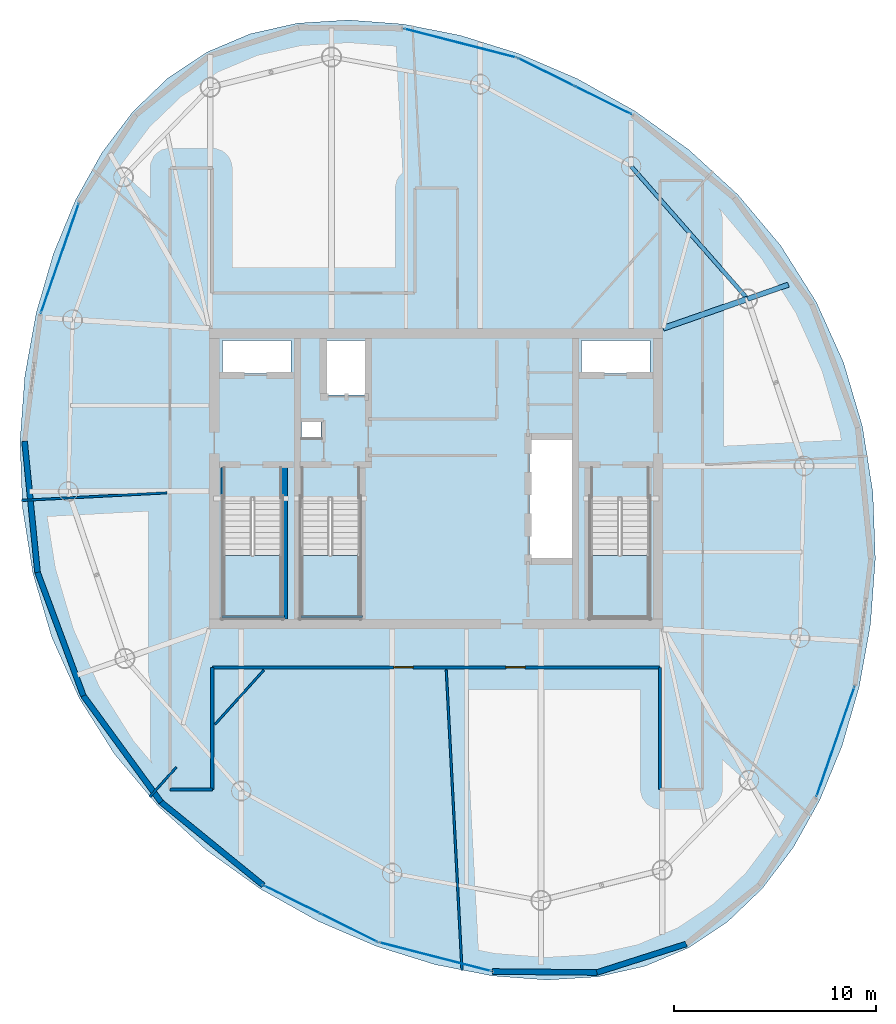
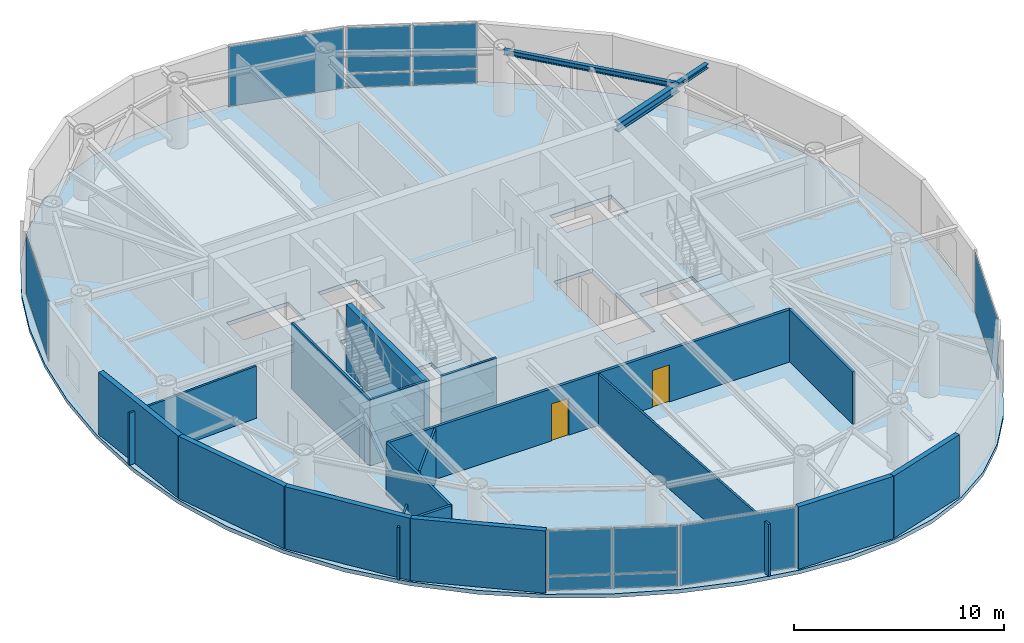
# One storey, part 11 of 17: 18 walls, 12 plates, 4 slabs, 3 beams, 2 doors, 2 openings, 9 elements without a shape of their own.
"""IFC4 building model written with IfcOpenShell, lengths in metres."""

from ifc_helpers import new_model, si_unit, direction, frame, frame_2d, origin, origin_2d, place, context, subcontext, project, spatial, polyline, rectangle, i_section, outline, extrude, material, layer, layer_set, material_profile, profile_set, type_object, element, fill, aggregate, save


model = new_model("IFC4")

# Units and contexts
model_context = context("Model", 3, precision=1e-05, world=origin(), true_north=direction((0.0, 1.0)))
body_context = subcontext(model_context, "Body", "Model", "MODEL_VIEW")
ifc_project = project(units=[si_unit("LENGTHUNIT", "METRE"), si_unit("AREAUNIT", "SQUARE_METRE"), si_unit("VOLUMEUNIT", "CUBIC_METRE"), si_unit("PLANEANGLEUNIT", "RADIAN"), si_unit("MASSUNIT", "GRAM", prefix="KILO")], contexts=[model_context])

# Site, building, storey
site_placement = place(None, origin())
site = spatial("IfcSite", under=ifc_project, at=site_placement, CompositionType="ELEMENT")
building_placement = place(site_placement, origin())
building = spatial("IfcBuilding", under=site, at=building_placement, Name="Bramvorn Convention Spire", CompositionType="ELEMENT")
storey_placement = place(building_placement, frame((0.0, 0.0, 280.550048828125)))
storey = spatial("IfcBuildingStorey", under=building, at=storey_placement, Name="L71", CompositionType="ELEMENT", Elevation=280.550048828125)

# Beams
ifc_material_1 = material(Name="Steel CSA G40.21 Grade 350 (350W)", Category="steel")
ifc_material_profile_1 = material_profile(ifc_material_1, i_section(OverallWidth=0.25390625, OverallDepth=0.2529296875, WebThickness=0.008544921875, FlangeThickness=0.01416015625, FilletRadius=0.011962890625, at=origin_2d()))
ifc_profile_set_1 = profile_set([ifc_material_profile_1], Name="Steel CSA G40.21 Grade 350 (350W) - W250X73")
beam_type_1 = type_object("IfcBeamType", Name="BM-W250X73", PredefinedType="BEAM", material=ifc_profile_set_1)
beam_1_placement = place(storey_placement, frame((53.4326171875, 34.909912109375, 3.49853515625), z_axis=(0.944130054028, 0.329573119476, 0.0), x_axis=(-0.329573119476, 0.944130054028, 0.0)))
element("IfcBeam", 1, at=beam_1_placement, inside=storey, type_object=beam_type_1, Name="L71 slab-edge cantilever tip beam MC05", PredefinedType="BEAM", context=body_context, shape_type="SweptSolid", body=[
    extrude(i_section(OverallWidth=0.25390625, OverallDepth=0.2529296875, WebThickness=0.008544921875, FlangeThickness=0.01416015625, FilletRadius=0.011962890625, at=origin_2d()), origin(), (0.0, 0.0, 1.0), 2.140869140625),
])
ifc_material_profile_2 = material_profile(ifc_material_1, i_section(OverallWidth=0.202880859375, OverallDepth=0.302978515625, WebThickness=0.007568359375, FlangeThickness=0.01318359375, FilletRadius=0.013916015625, at=origin_2d()))
ifc_profile_set_2 = profile_set([ifc_material_profile_2], Name="Steel CSA G40.21 Grade 350 (350W) - W310X60")
beam_type_2 = type_object("IfcBeamType", Name="BM-W310X60", PredefinedType="JOIST", material=ifc_profile_set_2)
beam_2_placement = place(storey_placement, frame((53.4326171875, 34.909912109375, 3.473388671875), z_axis=(-0.660073062339, 0.751201405999, 0.0), x_axis=(-0.751201405999, -0.660073062339, 0.0)))
element("IfcBeam", 2, at=beam_2_placement, inside=storey, type_object=beam_type_2, Name="L71 mega-column ring beam 05", PredefinedType="JOIST", context=body_context, shape_type="SweptSolid", body=[
    extrude(i_section(OverallWidth=0.202880859375, OverallDepth=0.302978515625, WebThickness=0.007568359375, FlangeThickness=0.01318359375, FilletRadius=0.013916015625, at=origin_2d()), origin(), (0.0, 0.0, 1.0), 8.741943359375),
])
ifc_material_profile_3 = material_profile(ifc_material_1, i_section(OverallWidth=0.283935546875, OverallDepth=0.47607421875, WebThickness=0.014892578125, FlangeThickness=0.02392578125, FilletRadius=0.01806640625, at=origin_2d()))
ifc_profile_set_3 = profile_set([ifc_material_profile_3], Name="Steel CSA G40.21 Grade 350 (350W) - W460X158")
beam_type_3 = type_object("IfcBeamType", Name="BM-W460X158", PredefinedType="SPANDREL", material=ifc_profile_set_3)
beam_3_placement = place(storey_placement, frame((49.25, 33.449951171875, 3.386962890625), z_axis=(0.944136391877, 0.329554962843, 0.0), x_axis=(-0.329554962843, 0.944136391877, 0.0)))
element("IfcBeam", 3, at=beam_3_placement, inside=storey, type_object=beam_type_3, Name="L71 radial floor girder MC05", PredefinedType="SPANDREL", context=body_context, shape_type="SweptSolid", body=[
    extrude(i_section(OverallWidth=0.283935546875, OverallDepth=0.47607421875, WebThickness=0.014892578125, FlangeThickness=0.02392578125, FilletRadius=0.01806640625, at=origin_2d()), origin(), (0.0, 0.0, 1.0), 4.43017578125),
])

# Curtain wall, plate
ifc_material_2 = material(Name="Anodised Bronze Unitised Curtain Wall", Category="aluminium")
ifc_layer_1 = layer(ifc_material_2, 0.179931640625)
ifc_layer_set_1 = layer_set([ifc_layer_1], Name="Anodised Bronze Unitised Curtain Wall - CW-OFF-FRIT")
curtain_wall_type = type_object("IfcCurtainWallType", Name="CW-OFF-FRIT", PredefinedType="USERDEFINED", material=ifc_layer_set_1)
curtain_wall_1_placement = place(storey_placement, origin())
curtain_wall_1 = element("IfcCurtainWall", 4, at=curtain_wall_1_placement, inside=storey, type_object=curtain_wall_type, Name="L71 fritted glass curtain wall 03", ObjectType="UNITISED CURTAIN WALL", PredefinedType="USERDEFINED")
ifc_material_3 = material(Name="Laminated Low-E Glass (Triple IGU High-VLT Low-Iron 22%)", Category="glass")
ifc_layer_2 = layer(ifc_material_3, 0.0419921875)
ifc_layer_set_2 = layer_set([ifc_layer_2], Name="Laminated Low-E Glass (Triple IGU High-VLT Low-Iron 22%) - PNL-IGU-4")
plate_type = type_object("IfcPlateType", Name="PNL-IGU-4", PredefinedType="CURTAIN_PANEL", material=ifc_layer_set_2)
plate_1_placement = place(storey_placement, frame((57.791748046875, 12.967041015625, 0.06005859375), z_axis=(0.0, 0.0, 1.0), x_axis=(-0.327320383274, -0.944913417565, 0.0)))
plate_1 = element("IfcPlate", 5, at=plate_1_placement, type_object=plate_type, Name="CW3 panel 1.1", PredefinedType="CURTAIN_PANEL", context=body_context, shape_type="SweptSolid", body=[
    extrude(rectangle(XDim=5.739990234375, YDim=0.028076171875, at=origin_2d()), origin(), (0.0, 0.0, 1.0), 3.5048828125),
])
aggregate(curtain_wall_1, [plate_1])

# Curtain wall, plates
curtain_wall_2_placement = place(storey_placement, origin())
curtain_wall_2 = element("IfcCurtainWall", 6, at=curtain_wall_2_placement, inside=storey, type_object=curtain_wall_type, Name="L71 fritted glass curtain wall 09", ObjectType="UNITISED CURTAIN WALL", PredefinedType="USERDEFINED")
plate_2_placement = place(storey_placement, frame((43.46435546875, 46.1435546875, 0.059814453125), z_axis=(0.0, 0.0, 1.0), x_axis=(0.895938159673, -0.444178808636, 0.0)))
plate_2 = element("IfcPlate", 7, at=plate_2_placement, type_object=plate_type, Name="CW3 panel 1.1", PredefinedType="CURTAIN_PANEL", context=body_context, shape_type="SweptSolid", body=[
    extrude(rectangle(XDim=3.08251953125, YDim=0.028076171875, at=origin_2d()), origin(), (0.0, 0.0, 1.0), 0.81005859375),
])
plate_3_placement = place(storey_placement, frame((43.46435546875, 46.1435546875, 0.93017578125), z_axis=(0.0, 0.0, 1.0), x_axis=(0.895938159673, -0.444178808636, 0.0)))
plate_3 = element("IfcPlate", 8, at=plate_3_placement, type_object=plate_type, Name="CW3 panel 1.2", PredefinedType="CURTAIN_PANEL", context=body_context, shape_type="SweptSolid", body=[
    extrude(rectangle(XDim=3.08251953125, YDim=0.028076171875, at=origin_2d()), origin(), (0.0, 0.0, 1.0), 2.635009765625),
])
plate_4_placement = place(storey_placement, frame((46.280029296875, 44.747802734375, 0.059814453125), z_axis=(0.0, 0.0, 1.0), x_axis=(0.895938159673, -0.444178808636, 0.0)))
plate_4 = element("IfcPlate", 9, at=plate_4_placement, type_object=plate_type, Name="CW3 panel 2.1", PredefinedType="CURTAIN_PANEL", context=body_context, shape_type="SweptSolid", body=[
    extrude(rectangle(XDim=3.08251953125, YDim=0.028076171875, at=origin_2d()), origin(), (0.0, 0.0, 1.0), 0.81005859375),
])
plate_5_placement = place(storey_placement, frame((46.280029296875, 44.747802734375, 0.93017578125), z_axis=(0.0, 0.0, 1.0), x_axis=(0.895938159673, -0.444178808636, 0.0)))
plate_5 = element("IfcPlate", 10, at=plate_5_placement, type_object=plate_type, Name="CW3 panel 2.2", PredefinedType="CURTAIN_PANEL", context=body_context, shape_type="SweptSolid", body=[
    extrude(rectangle(XDim=3.08251953125, YDim=0.028076171875, at=origin_2d()), origin(), (0.0, 0.0, 1.0), 2.635009765625),
])
aggregate(curtain_wall_2, [plate_2, plate_3, plate_4, plate_5])

# Curtain wall, plate
curtain_wall_3_placement = place(storey_placement, origin())
curtain_wall_3 = element("IfcCurtainWall", 11, at=curtain_wall_3_placement, inside=storey, type_object=curtain_wall_type, Name="L71 fritted glass curtain wall 10", ObjectType="UNITISED CURTAIN WALL", PredefinedType="USERDEFINED")
plate_6_placement = place(storey_placement, frame((39.19189453125, 47.583251953125, 0.06005859375), z_axis=(0.0, 0.0, 1.0), x_axis=(0.968609837291, -0.248585967227, 0.0)))
plate_6 = element("IfcPlate", 12, at=plate_6_placement, type_object=plate_type, Name="CW3 panel 1.1", PredefinedType="CURTAIN_PANEL", context=body_context, shape_type="SweptSolid", body=[
    extrude(rectangle(XDim=5.739990234375, YDim=0.028076171875, at=origin_2d()), origin(), (0.0, 0.0, 1.0), 3.5048828125),
])
aggregate(curtain_wall_3, [plate_6])

curtain_wall_4_placement = place(storey_placement, origin())
curtain_wall_4 = element("IfcCurtainWall", 13, at=curtain_wall_4_placement, inside=storey, type_object=curtain_wall_type, Name="L71 fritted glass curtain wall 15", ObjectType="UNITISED CURTAIN WALL", PredefinedType="USERDEFINED")
plate_7_placement = place(storey_placement, frame((19.34423828125, 36.918701171875, 0.06005859375), z_axis=(0.0, 0.0, 1.0), x_axis=(0.327305146625, 0.94491869544, 0.0)))
plate_7 = element("IfcPlate", 14, at=plate_7_placement, type_object=plate_type, Name="CW3 panel 1.1", PredefinedType="CURTAIN_PANEL", context=body_context, shape_type="SweptSolid", body=[
    extrude(rectangle(XDim=5.739990234375, YDim=0.028076171875, at=origin_2d()), origin(), (0.0, 0.0, 1.0), 3.5048828125),
])
aggregate(curtain_wall_4, [plate_7])

# Curtain wall, plates
curtain_wall_5_placement = place(storey_placement, origin())
curtain_wall_5 = element("IfcCurtainWall", 15, at=curtain_wall_5_placement, inside=storey, type_object=curtain_wall_type, Name="L71 fritted glass curtain wall 21", ObjectType="UNITISED CURTAIN WALL", PredefinedType="USERDEFINED")
plate_8_placement = place(storey_placement, frame((33.67138671875, 3.7421875, 0.059814453125), z_axis=(0.0, 0.0, 1.0), x_axis=(-0.895931887844, 0.444191459108, 0.0)))
plate_8 = element("IfcPlate", 16, at=plate_8_placement, type_object=plate_type, Name="CW3 panel 1.1", PredefinedType="CURTAIN_PANEL", context=body_context, shape_type="SweptSolid", body=[
    extrude(rectangle(XDim=3.08251953125, YDim=0.028076171875, at=origin_2d()), origin(), (0.0, 0.0, 1.0), 0.81005859375),
])
plate_9_placement = place(storey_placement, frame((33.67138671875, 3.7421875, 0.93017578125), z_axis=(0.0, 0.0, 1.0), x_axis=(-0.895931887844, 0.444191459108, 0.0)))
plate_9 = element("IfcPlate", 17, at=plate_9_placement, type_object=plate_type, Name="CW3 panel 1.2", PredefinedType="CURTAIN_PANEL", context=body_context, shape_type="SweptSolid", body=[
    extrude(rectangle(XDim=3.08251953125, YDim=0.028076171875, at=origin_2d()), origin(), (0.0, 0.0, 1.0), 2.635009765625),
])
plate_10_placement = place(storey_placement, frame((30.85595703125, 5.13818359375, 0.059814453125), z_axis=(0.0, 0.0, 1.0), x_axis=(-0.895931887844, 0.444191459108, 0.0)))
plate_10 = element("IfcPlate", 18, at=plate_10_placement, type_object=plate_type, Name="CW3 panel 2.1", PredefinedType="CURTAIN_PANEL", context=body_context, shape_type="SweptSolid", body=[
    extrude(rectangle(XDim=3.08251953125, YDim=0.028076171875, at=origin_2d()), origin(), (0.0, 0.0, 1.0), 0.81005859375),
])
plate_11_placement = place(storey_placement, frame((30.85595703125, 5.13818359375, 0.93017578125), z_axis=(0.0, 0.0, 1.0), x_axis=(-0.895931887844, 0.444191459108, 0.0)))
plate_11 = element("IfcPlate", 19, at=plate_11_placement, type_object=plate_type, Name="CW3 panel 2.2", PredefinedType="CURTAIN_PANEL", context=body_context, shape_type="SweptSolid", body=[
    extrude(rectangle(XDim=3.08251953125, YDim=0.028076171875, at=origin_2d()), origin(), (0.0, 0.0, 1.0), 2.635009765625),
])
aggregate(curtain_wall_5, [plate_8, plate_9, plate_10, plate_11])

# Curtain wall, plate
curtain_wall_6_placement = place(storey_placement, origin())
curtain_wall_6 = element("IfcCurtainWall", 20, at=curtain_wall_6_placement, inside=storey, type_object=curtain_wall_type, Name="L71 fritted glass curtain wall 22", ObjectType="UNITISED CURTAIN WALL", PredefinedType="USERDEFINED")
plate_12_placement = place(storey_placement, frame((37.944091796875, 2.302490234375, 0.06005859375), z_axis=(0.0, 0.0, 1.0), x_axis=(-0.968610891799, 0.248581858326, 0.0)))
plate_12 = element("IfcPlate", 21, at=plate_12_placement, type_object=plate_type, Name="CW3 panel 1.1", PredefinedType="CURTAIN_PANEL", context=body_context, shape_type="SweptSolid", body=[
    extrude(rectangle(XDim=5.739990234375, YDim=0.028076171875, at=origin_2d()), origin(), (0.0, 0.0, 1.0), 3.5048828125),
])
aggregate(curtain_wall_6, [plate_12])

# Stair, slab
ifc_material_4 = material(Name="Concrete C40/50 Precast Stair", Category="concrete")
stair_type = type_object("IfcStairType", Name="ST-TOWER-1550", PredefinedType="HALF_TURN_STAIR", material=ifc_material_4)
stair_1_placement = place(storey_placement, origin())
stair_1 = element("IfcStair", 22, at=stair_1_placement, inside=storey, type_object=stair_type, Name="L71 Protected Exit Stair ST1", PredefinedType="HALF_TURN_STAIR")
ifc_material_5 = material(Name="Concrete C40/50 Stair Landing", Category="concrete")
ifc_layer_3 = layer(ifc_material_5, 0.219970703125)
ifc_layer_set_3 = layer_set([ifc_layer_3], Name="Concrete C40/50 Stair Landing - SLB-STAIR-LANDING")
slab_type_1 = type_object("IfcSlabType", Name="SLB-STAIR-LANDING", PredefinedType="LANDING", material=ifc_layer_set_3)
slab_1_placement = place(storey_placement, frame((0.0, 0.0, 1.724853515625)))
slab_1 = element("IfcSlab", 23, at=slab_1_placement, type_object=slab_type_1, Name="ST1 landing 1", PredefinedType="LANDING", context=body_context, shape_type="SweptSolid", body=[
    extrude(outline(polyline([(27.449951171875, 22.199951171875), (27.449951171875, 19.10009765625), (30.35009765625, 19.10009765625), (30.35009765625, 22.199951171875), (27.449951171875, 22.199951171875)])), origin(), (0.0, 0.0, 1.0), 0.2001953125),
])
aggregate(stair_1, [slab_1])

stair_2_placement = place(storey_placement, origin())
stair_2 = element("IfcStair", 24, at=stair_2_placement, inside=storey, type_object=stair_type, Name="L71 Protected Exit Stair ST2", PredefinedType="HALF_TURN_STAIR")
slab_2_placement = place(storey_placement, frame((0.0, 0.0, 1.724853515625)))
slab_2 = element("IfcSlab", 25, at=slab_2_placement, type_object=slab_type_1, Name="ST2 landing 1", PredefinedType="LANDING", context=body_context, shape_type="SweptSolid", body=[
    extrude(outline(polyline([(45.64990234375, 22.199951171875), (45.64990234375, 19.10009765625), (48.550048828125, 19.10009765625), (48.550048828125, 22.199951171875), (45.64990234375, 22.199951171875)])), origin(), (0.0, 0.0, 1.0), 0.2001953125),
])
aggregate(stair_2, [slab_2])

stair_3_placement = place(storey_placement, origin())
stair_3 = element("IfcStair", 26, at=stair_3_placement, inside=storey, type_object=stair_type, Name="L71 Protected Exit Stair ST3", PredefinedType="HALF_TURN_STAIR")
slab_3_placement = place(storey_placement, frame((0.0, 0.0, 1.724853515625)))
slab_3 = element("IfcSlab", 27, at=slab_3_placement, type_object=slab_type_1, Name="ST3 landing 1", PredefinedType="LANDING", context=body_context, shape_type="SweptSolid", body=[
    extrude(outline(polyline([(31.300048828125, 22.199951171875), (31.300048828125, 19.10009765625), (34.199951171875, 19.10009765625), (34.199951171875, 22.199951171875), (31.300048828125, 22.199951171875)])), origin(), (0.0, 0.0, 1.0), 0.2001953125),
])
aggregate(stair_3, [slab_3])

# Slab
ifc_material_6 = material(Name="Concrete C40/50", Category="concrete")
ifc_layer_4 = layer(ifc_material_6, 0.22509765625)
ifc_layer_set_4 = layer_set([ifc_layer_4], Name="Concrete C40/50 - SLB-Z4-225")
slab_type_2 = type_object("IfcSlabType", Name="SLB-Z4-225", PredefinedType="FLOOR", material=ifc_layer_set_4)
slab_4_placement = place(storey_placement, frame((0.0, 0.0, -0.22509765625)))
element("IfcSlab", 28, at=slab_4_placement, inside=storey, type_object=slab_type_2, Name="L71 tower floor slab", PredefinedType="FLOOR", context=body_context, shape_type="SweptSolid", body=[
    extrude(outline(polyline([(50.49560546875, 2.744384765625), (52.4306640625, 4.02880859375), (54.163330078125, 5.68994140625), (55.69384765625, 7.715087890625), (57.015869140625, 10.08056640625), (58.11376953125, 12.74951171875), (58.96142578125, 15.67236328125), (59.52490234375, 18.788330078125), (59.764892578125, 22.02880859375), (59.64208984375, 25.31884765625), (59.123779296875, 28.583740234375), (58.18896484375, 31.751708984375), (56.833984375, 34.7578125), (55.0751953125, 37.546630859375), (52.949462890625, 40.07470703125), (50.51318359375, 42.308837890625), (47.837158203125, 44.227294921875), (45.002685546875, 45.815673828125), (42.09326171875, 47.065673828125), (39.18798828125, 47.971923828125), (36.356689453125, 48.529541015625), (33.654541015625, 48.732666015625), (31.120849609375, 48.57421875), (28.779296875, 48.0458984375), (26.640380859375, 47.141357421875), (24.705322265625, 45.85693359375), (22.97265625, 44.19580078125), (21.44189453125, 42.170654296875), (20.1201171875, 39.80517578125), (19.022216796875, 37.136474609375), (18.174560546875, 34.213623046875), (17.611083984375, 31.097412109375), (17.37109375, 27.857177734375), (17.493896484375, 24.56689453125), (18.01220703125, 21.302001953125), (18.947021484375, 18.13427734375), (20.3017578125, 15.128173828125), (22.060791015625, 12.339111328125), (24.186279296875, 9.811279296875), (26.622802734375, 7.576904296875), (29.298583984375, 5.65869140625), (32.13330078125, 4.0703125), (35.042724609375, 2.8203125), (37.947998046875, 1.9140625), (40.779296875, 1.3564453125), (43.4814453125, 1.1533203125), (46.01513671875, 1.311767578125), (48.356689453125, 1.83984375), (50.49560546875, 2.744384765625)]), holes=[polyline([(27.449951171875, 25.050048828125), (27.449951171875, 19.10009765625), (30.35009765625, 19.10009765625), (30.35009765625, 25.050048828125), (27.449951171875, 25.050048828125)]), polyline([(45.64990234375, 25.050048828125), (45.64990234375, 19.10009765625), (48.550048828125, 19.10009765625), (48.550048828125, 25.050048828125), (45.64990234375, 25.050048828125)]), polyline([(31.300048828125, 25.050048828125), (31.300048828125, 19.10009765625), (34.199951171875, 19.10009765625), (34.199951171875, 25.050048828125), (31.300048828125, 25.050048828125)]), polyline([(27.39990234375, 31.219970703125), (30.800048828125, 31.219970703125), (30.800048828125, 32.85009765625), (27.39990234375, 32.85009765625), (27.39990234375, 31.219970703125)]), polyline([(45.199951171875, 31.219970703125), (48.60009765625, 31.219970703125), (48.60009765625, 32.85009765625), (45.199951171875, 32.85009765625), (45.199951171875, 31.219970703125)]), polyline([(32.449951171875, 30.14990234375), (34.56005859375, 30.14990234375), (34.56005859375, 32.85009765625), (32.449951171875, 32.85009765625), (32.449951171875, 30.14990234375)]), polyline([(42.6201171875, 22.0), (44.75, 22.0), (44.75, 28.0), (42.6201171875, 28.0), (42.6201171875, 22.0)]), polyline([(31.320068359375, 28.02001953125), (32.280029296875, 28.02001953125), (32.280029296875, 28.820068359375), (31.320068359375, 28.820068359375), (31.320068359375, 28.02001953125)])]), origin(), (0.0, 0.0, 1.0), 0.22509765625),
])

# Walls
ifc_material_7 = material(Name="Precast Concrete C40/50 with Bronze Terracotta Rainscreen", Category="masonry")
ifc_layer_5 = layer(ifc_material_7, 0.300048828125)
ifc_layer_set_5 = layer_set([ifc_layer_5], Name="Precast Concrete C40/50 with Bronze Terracotta Rainscreen - WL-EXT-BRONZE-300")
wall_type_1 = type_object("IfcWallType", Name="WL-EXT-BRONZE-300", PredefinedType="SOLIDWALL", material=ifc_layer_set_5)
wall_1_placement = place(storey_placement, frame((18.2392578125, 21.359619140625, 0.0), z_axis=(0.0, 0.0, 1.0), x_axis=(-0.098314662397, 0.9951553784, 0.0)))
element("IfcWall", 29, at=wall_1_placement, inside=storey, type_object=wall_type_1, Name="L71 expressed bronze Gothic lancet pier wall 17", PredefinedType="SOLIDWALL", context=body_context, shape_type="SweptSolid", body=[
    extrude(rectangle(XDim=6.52587890625, YDim=0.280029296875, at=frame_2d((3.262939453125, 0.0))), origin(), (0.0, 0.0, 1.0), 3.625),
])
wall_2_placement = place(storey_placement, frame((20.510986328125, 15.240478515625, 0.0), z_axis=(0.0, 0.0, 1.0), x_axis=(-0.348039084876, 0.937480024, 0.0)))
element("IfcWall", 30, at=wall_2_placement, inside=storey, type_object=wall_type_1, Name="L71 expressed bronze Gothic lancet pier wall 18", PredefinedType="SOLIDWALL", context=body_context, shape_type="SweptSolid", body=[
    extrude(rectangle(XDim=6.52734375, YDim=0.280029296875, at=frame_2d((3.263671875, 0.0))), origin(), (0.0, 0.0, 1.0), 3.625),
])
wall_3_placement = place(storey_placement, frame((24.359619140625, 9.968994140625, 0.0), z_axis=(0.0, 0.0, 1.0), x_axis=(-0.589656401391, 0.807654213323, 0.0)))
element("IfcWall", 31, at=wall_3_placement, inside=storey, type_object=wall_type_1, Name="L71 expressed bronze Gothic lancet pier wall 19", PredefinedType="SOLIDWALL", context=body_context, shape_type="SweptSolid", body=[
    extrude(rectangle(XDim=6.52685546875, YDim=0.280029296875, at=frame_2d((3.263427734375, 0.0))), origin(), (0.0, 0.0, 1.0), 3.625),
])
wall_4_placement = place(storey_placement, frame((29.421142578125, 5.849365234375, 0.0), z_axis=(0.0, 0.0, 1.0), x_axis=(-0.775578189182, 0.631251512842, 0.0)))
element("IfcWall", 32, at=wall_4_placement, inside=storey, type_object=wall_type_1, Name="L71 expressed bronze Gothic lancet pier wall 20", PredefinedType="SOLIDWALL", context=body_context, shape_type="SweptSolid", body=[
    extrude(rectangle(XDim=6.526123046875, YDim=0.280029296875, at=frame_2d((3.26318359375, 0.0))), origin(), (0.0, 0.0, 1.0), 3.625),
])
wall_5_placement = place(storey_placement, frame((45.961181640625, 1.52392578125, 0.0), z_axis=(0.0, 0.0, 1.0), x_axis=(-0.999952851319, 0.009710568395, 0.0)))
element("IfcWall", 33, at=wall_5_placement, inside=storey, type_object=wall_type_1, Name="L71 expressed bronze Gothic lancet pier wall 23", PredefinedType="SOLIDWALL", context=body_context, shape_type="SweptSolid", body=[
    extrude(rectangle(XDim=5.17919921875, YDim=0.280029296875, at=frame_2d((2.589599609375, 0.0))), origin(), (0.0, 0.0, 1.0), 3.625),
])
wall_6_placement = place(storey_placement, frame((50.3916015625, 2.938232421875, 0.0), z_axis=(0.0, 0.0, 1.0), x_axis=(-0.952637856916, -0.304107075831, 0.0)))
element("IfcWall", 34, at=wall_6_placement, inside=storey, type_object=wall_type_1, Name="L71 expressed bronze Gothic lancet pier wall 24", PredefinedType="SOLIDWALL", context=body_context, shape_type="SweptSolid", body=[
    extrude(rectangle(XDim=4.650634765625, YDim=0.280029296875, at=frame_2d((2.3251953125, 0.0))), origin(), (0.0, 0.0, 1.0), 3.625),
])
ifc_material_8 = material(Name="Lightweight En-Suite & Wet-Wall Partition", Category="gypsum")
ifc_layer_6 = layer(ifc_material_8, 0.110107421875)
ifc_layer_set_6 = layer_set([ifc_layer_6], Name="Lightweight En-Suite & Wet-Wall Partition - WL-PART-110")
wall_type_2 = type_object("IfcWallType", Name="WL-PART-110", PredefinedType="PARTITIONING", material=ifc_layer_set_6)
wall_7_placement = place(storey_placement, frame((24.659912109375, 25.30078125, 0.0), z_axis=(0.0, 0.0, 1.0), x_axis=(-0.998631060723, -0.05230683091, 0.0)))
element("IfcWall", 35, at=wall_7_placement, inside=storey, type_object=wall_type_2, Name="L71 Tenant suite partition 5", PredefinedType="PARTITIONING", context=body_context, shape_type="SweptSolid", body=[
    extrude(rectangle(XDim=7.220458984375, YDim=0.110107421875, at=frame_2d((3.6103515625, 0.0))), origin(), (0.0, 0.0, 1.0), 3.0400390625),
])
wall_8_placement = place(storey_placement, frame((29.455078125, 16.510009765625, 0.0), z_axis=(0.0, 0.0, 1.0), x_axis=(-0.669102991337, -0.743169689226, 0.0)))
element("IfcWall", 36, at=wall_8_placement, inside=storey, type_object=wall_type_2, Name="L71 Tenant suite partition 6", PredefinedType="PARTITIONING", context=body_context, shape_type="SweptSolid", body=[
    extrude(rectangle(XDim=3.609375, YDim=0.110107421875, at=frame_2d((1.8046875, 0.0))), origin(), (0.0, 0.0, 1.0), 3.0400390625),
])
wall_9_placement = place(storey_placement, frame((25.126708984375, 11.702880859375, 0.0), z_axis=(0.0, 0.0, 1.0), x_axis=(-0.669113972623, -0.743159802223, 0.0)))
element("IfcWall", 37, at=wall_9_placement, inside=storey, type_object=wall_type_2, Name="L71 Tenant suite partition 6", PredefinedType="PARTITIONING", context=body_context, shape_type="SweptSolid", body=[
    extrude(rectangle(XDim=1.98828125, YDim=0.110107421875, at=frame_2d((0.994140625, 0.0))), origin(), (0.0, 0.0, 1.0), 3.0400390625),
])
wall_10_placement = place(storey_placement, frame((38.497314453125, 16.510009765625, 0.0), z_axis=(0.0, 0.0, 1.0), x_axis=(0.052337935775, -0.99862943101, 0.0)))
element("IfcWall", 38, at=wall_10_placement, inside=storey, type_object=wall_type_2, Name="L71 Tenant suite partition 7", PredefinedType="PARTITIONING", context=body_context, shape_type="SweptSolid", body=[
    extrude(rectangle(XDim=14.908447265625, YDim=0.110107421875, at=frame_2d((7.4541015625, 0.0))), origin(), (0.0, 0.0, 1.0), 3.0400390625),
])

# Wall, openings, doors
ifc_material_9 = material(Name="Acoustic Metal-Stud Tenant/Corridor Partition", Category="gypsum")
ifc_layer_7 = layer(ifc_material_9, 0.14990234375)
ifc_layer_set_7 = layer_set([ifc_layer_7], Name="Acoustic Metal-Stud Tenant/Corridor Partition - WL-PART-150")
wall_type_3 = type_object("IfcWallType", Name="WL-PART-150", PredefinedType="PARTITIONING", material=ifc_layer_set_7)
wall_11_placement = place(storey_placement, frame((26.89990234375, 16.64990234375, 0.0), z_axis=(0.0, 0.0, 1.0), x_axis=(1.0, 0.0, 0.0)))
wall_11 = element("IfcWall", 39, at=wall_11_placement, inside=storey, type_object=wall_type_3, Name="L71 South H-crossbar wall", PredefinedType="PARTITIONING", context=body_context, shape_type="SweptSolid", body=[
    extrude(rectangle(XDim=22.2001953125, YDim=0.14990234375, at=frame_2d((11.10009765625, 0.0))), origin(), (0.0, 0.0, 1.0), 3.0400390625),
])
opening_1_placement = place(wall_11_placement, frame((9.007080078125, 0.0, 0.0)))
opening_1 = element("IfcOpeningElement", 40, at=opening_1_placement, cuts=wall_11, Name="Opening DH-095", PredefinedType="OPENING", context=body_context, shape_type="SweptSolid", body=[
    extrude(rectangle(XDim=0.949951171875, YDim=2.14990234375, at=frame_2d((0.47509765625, 1.074951171875))), frame((0.0, 0.0849609375, 0.0), z_axis=(0.0, -1.0, 0.0), x_axis=(1.0, 0.0, 0.0)), (0.0, 0.0, 1.0), 0.169921875),
])
opening_2_placement = place(wall_11_placement, frame((14.556884765625, 0.0, 0.0)))
opening_2 = element("IfcOpeningElement", 41, at=opening_2_placement, cuts=wall_11, Name="Opening DH-095", PredefinedType="OPENING", context=body_context, shape_type="SweptSolid", body=[
    extrude(rectangle(XDim=0.949951171875, YDim=2.14990234375, at=frame_2d((0.47509765625, 1.074951171875))), frame((0.0, 0.0849609375, 0.0), z_axis=(0.0, -1.0, 0.0), x_axis=(1.0, 0.0, 0.0)), (0.0, 0.0, 1.0), 0.169921875),
])
ifc_material_10 = material(Name="Solid-Core Acoustic Guestroom Entry Door", Category="wood")
door_type = type_object("IfcDoorType", Name="DR-HOTEL-950", OperationType="NOTDEFINED", PredefinedType="DOOR", material=ifc_material_10)
door_1_placement = place(opening_1_placement, origin())
door_1 = element("IfcDoor", 42, at=door_1_placement, inside=storey, type_object=door_type, Name="L71 Compliance Meeting Room 6 door", OperationType="SINGLE_SWING_LEFT", OverallHeight=2.14990234375, OverallWidth=0.949951171875, PredefinedType="DOOR", context=body_context, shape_type="SweptSolid", body=[
    extrude(rectangle(XDim=0.949951171875, YDim=2.14990234375, at=frame_2d((0.47509765625, 1.074951171875))), frame((0.0, 0.02490234375, 0.0), z_axis=(0.0, -1.0, 0.0), x_axis=(1.0, 0.0, 0.0)), (0.0, 0.0, 1.0), 0.050048828125),
])
fill(opening_1, door_1)
door_2_placement = place(opening_2_placement, origin())
door_2 = element("IfcDoor", 43, at=door_2_placement, inside=storey, type_object=door_type, Name="L71 Server & Tape Store 7 door", OperationType="SINGLE_SWING_LEFT", OverallHeight=2.14990234375, OverallWidth=0.949951171875, PredefinedType="DOOR", context=body_context, shape_type="SweptSolid", body=[
    extrude(rectangle(XDim=0.949951171875, YDim=2.14990234375, at=frame_2d((0.47509765625, 1.074951171875))), frame((0.0, 0.02490234375, 0.0), z_axis=(0.0, -1.0, 0.0), x_axis=(1.0, 0.0, 0.0)), (0.0, 0.0, 1.0), 0.050048828125),
])
fill(opening_2, door_2)

# Walls
wall_12_placement = place(storey_placement, frame((26.89990234375, 10.60009765625, 0.0), z_axis=(0.0, 0.0, 1.0), x_axis=(0.0, 1.0, 0.0)))
element("IfcWall", 44, at=wall_12_placement, inside=storey, type_object=wall_type_3, Name="L71 West gallery SE wall", PredefinedType="PARTITIONING", context=body_context, shape_type="SweptSolid", body=[
    extrude(rectangle(XDim=6.0498046875, YDim=0.14990234375, at=frame_2d((3.02490234375, 0.0))), origin(), (0.0, 0.0, 1.0), 3.0400390625),
])
wall_13_placement = place(storey_placement, frame((24.800048828125, 10.60009765625, 0.0), z_axis=(0.0, 0.0, 1.0), x_axis=(1.0, 0.0, 0.0)))
element("IfcWall", 45, at=wall_13_placement, inside=storey, type_object=wall_type_3, Name="L71 West gallery south end", PredefinedType="PARTITIONING", context=body_context, shape_type="SweptSolid", body=[
    extrude(rectangle(XDim=2.099853515625, YDim=0.14990234375, at=frame_2d((1.0498046875, 0.0))), origin(), (0.0, 0.0, 1.0), 3.0400390625),
])
wall_14_placement = place(storey_placement, frame((49.10009765625, 10.60009765625, 0.0), z_axis=(0.0, 0.0, 1.0), x_axis=(0.0, 1.0, 0.0)))
element("IfcWall", 46, at=wall_14_placement, inside=storey, type_object=wall_type_3, Name="L71 East gallery SW wall", PredefinedType="PARTITIONING", context=body_context, shape_type="SweptSolid", body=[
    extrude(rectangle(XDim=6.0498046875, YDim=0.14990234375, at=frame_2d((3.02490234375, 0.0))), origin(), (0.0, 0.0, 1.0), 3.0400390625),
])
ifc_material_11 = material(Name="Concrete C50/60", Category="concrete")
ifc_layer_8 = layer(ifc_material_11, 0.300048828125)
ifc_layer_set_8 = layer_set([ifc_layer_8], Name="Concrete C50/60 - WL-POD-STAIR-300")
wall_type_4 = type_object("IfcWallType", Name="WL-POD-STAIR-300", PredefinedType="SHEAR", material=ifc_layer_set_8)
wall_15_placement = place(storey_placement, frame((30.489990234375, 19.050048828125, 0.0), z_axis=(0.0, 0.0, 1.0), x_axis=(0.0, 1.0, 0.0)))
element("IfcWall", 47, at=wall_15_placement, inside=storey, type_object=wall_type_4, Name="L71 ST1 east bearing wall", PredefinedType="SHEAR", context=body_context, shape_type="SweptSolid", body=[
    extrude(rectangle(XDim=7.5, YDim=0.300048828125, at=frame_2d((3.75, 0.0))), origin(), (0.0, 0.0, 1.0), 3.849853515625),
])
ifc_layer_9 = layer(ifc_material_11, 0.1201171875)
ifc_layer_set_9 = layer_set([ifc_layer_9], Name="Concrete C50/60 - WL-STAIR-RC-120")
wall_type_5 = type_object("IfcWallType", Name="WL-STAIR-RC-120", PredefinedType="SHEAR", material=ifc_layer_set_9)
wall_16_placement = place(storey_placement, frame((27.39501953125, 19.10009765625, 0.0), z_axis=(0.0, 0.0, 1.0), x_axis=(0.0, 1.0, 0.0)))
element("IfcWall", 48, at=wall_16_placement, inside=storey, type_object=wall_type_5, Name="L71 ST1 west bearing shear wall", PredefinedType="SHEAR", context=body_context, shape_type="SweptSolid", body=[
    extrude(rectangle(XDim=7.449951171875, YDim=0.1201171875, at=frame_2d((3.72509765625, 0.0))), origin(), (0.0, 0.0, 1.0), 3.849853515625),
])
wall_17_placement = place(storey_placement, frame((27.39501953125, 19.159912109375, 0.0), z_axis=(0.0, 0.0, 1.0), x_axis=(1.0, 0.0, 0.0)))
element("IfcWall", 49, at=wall_17_placement, inside=storey, type_object=wall_type_5, Name="L71 ST1 south bearing shear wall", PredefinedType="SHEAR", context=body_context, shape_type="SweptSolid", body=[
    extrude(rectangle(XDim=3.094970703125, YDim=0.1201171875, at=frame_2d((1.54736328125, 0.0))), origin(), (0.0, 0.0, 1.0), 3.849853515625),
])
wall_18_placement = place(storey_placement, frame((31.300048828125, 19.159912109375, 0.0), z_axis=(0.0, 0.0, 1.0), x_axis=(1.0, 0.0, 0.0)))
element("IfcWall", 50, at=wall_18_placement, inside=storey, type_object=wall_type_5, Name="L71 ST3 south bearing shear wall", PredefinedType="SHEAR", context=body_context, shape_type="SweptSolid", body=[
    extrude(rectangle(XDim=3.0400390625, YDim=0.1201171875, at=frame_2d((1.52001953125, 0.0))), origin(), (0.0, 0.0, 1.0), 3.849853515625),
])

save(model, "model.ifc")
